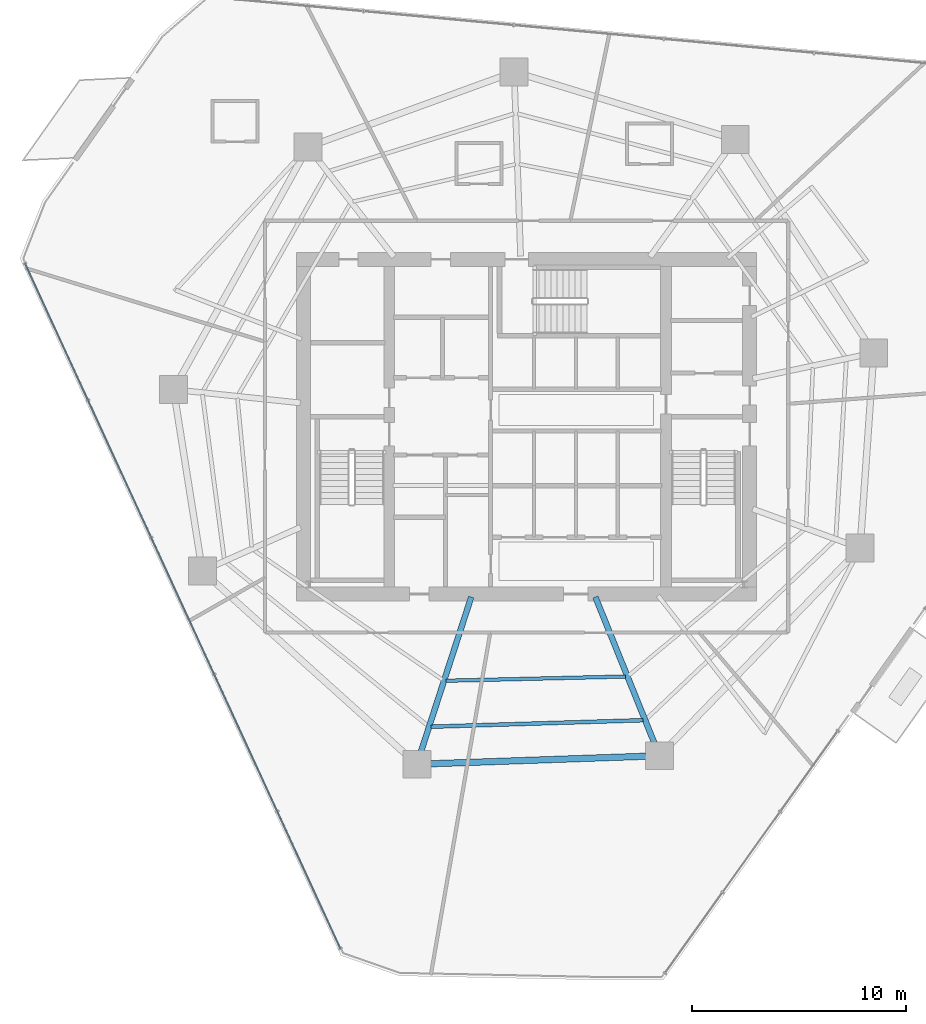
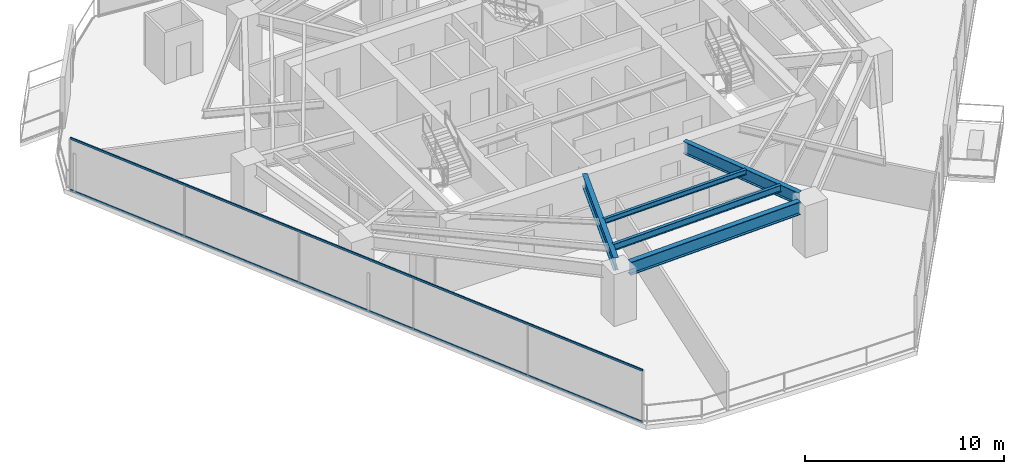
# One storey, part 6 of 30: 5 beams, 2 members, 1 element without a shape of its own.
"""IFC4 building model written with IfcOpenShell, lengths in metres."""

import ifcopenshell
import ifcopenshell.guid

model = None  # the IFC model being written
_history = None  # IfcOwnerHistory: only IFC2X3 demands one
_inside = {}  # id of a spatial element -> (the spatial element, [elements in it])
_under = {}  # id of a project, library or spatial element -> (it, [spatial elements below it])
_declared = {}  # id of a project -> (the project, [libraries it declares])
_typed = {}  # id of a type object -> (the type object, [elements of that type])
_made_of = {}  # id of a material, layer set ... -> (it, [elements and type objects made of it])


def new_model(schema):
    """Start an empty IFC model of exactly this schema.

    Asked for "IFC4X3", IfcOpenShell would pick the latest addendum, in which some entities
    have other attributes; the version numbers below select the first issue.
    IFC2X3 requires an IfcOwnerHistory on every rooted entity: one is made here for all.
    """
    global model, _history
    if schema == "IFC4X3":
        model = ifcopenshell.file(schema_version=(4, 3, 0, 0))
    else:
        model = ifcopenshell.file(schema=schema)
    _inside.clear()
    _under.clear()
    _declared.clear()
    _typed.clear()
    _made_of.clear()
    _history = None
    if model.schema == "IFC2X3":
        org = make("IfcOrganization", Name="unknown")
        user = make(
            "IfcPersonAndOrganization",
            ThePerson=make("IfcPerson", FamilyName="unknown"),
            TheOrganization=org,
        )
        app = make(
            "IfcApplication",
            ApplicationDeveloper=org,
            Version="unknown",
            ApplicationFullName="unknown",
            ApplicationIdentifier="unknown",
        )
        _history = make(
            "IfcOwnerHistory",
            OwningUser=user,
            OwningApplication=app,
            ChangeAction="ADDED",
            CreationDate=0,
        )
    return model


def make(cls, **values):
    """One entity of the class cls with the attributes given. An attribute that is None is left unset."""
    return model.create_entity(
        cls, **{name: value for name, value in values.items() if value is not None}
    )


def rooted(cls, **values):
    """An entity with a GlobalId (a new one), such as an element, a storey or a relation."""
    return make(cls, GlobalId=ifcopenshell.guid.new(), OwnerHistory=_history, **values)


def si_unit(unit_type, name, prefix=None):
    """IfcSIUnit, for example si_unit("LENGTHUNIT", "METRE", prefix="MILLI")."""
    return make("IfcSIUnit", UnitType=unit_type, Prefix=prefix, Name=name)


def assignment(units):
    """IfcUnitAssignment: the units of a project."""
    return None if units is None else make("IfcUnitAssignment", Units=units)


def point(xyz):
    """IfcCartesianPoint."""
    return None if xyz is None else make("IfcCartesianPoint", Coordinates=xyz)


def direction(xyz):
    """IfcDirection."""
    return None if xyz is None else make("IfcDirection", DirectionRatios=xyz)


def frame(location, z_axis=None, x_axis=None):
    """IfcAxis2Placement3D, a coordinate frame: its origin and axes. An axis left out is left unset."""
    return make(
        "IfcAxis2Placement3D",
        Location=point(location),
        Axis=direction(z_axis),
        RefDirection=direction(x_axis),
    )


def frame_2d(location, x_axis=None):
    """IfcAxis2Placement2D, a coordinate frame in the plane: its origin and x axis."""
    return make(
        "IfcAxis2Placement2D", Location=point(location), RefDirection=direction(x_axis)
    )


def origin():
    """The frame at (0, 0, 0) with its axes left unset."""
    return frame((0.0, 0.0, 0.0))


def origin_2d():
    """The frame at (0, 0) in the plane with its x axis left unset."""
    return frame_2d((0.0, 0.0))


def place(relative_to, where):
    """IfcLocalPlacement: puts the frame where relative to a parent placement (None: the world)."""
    return make(
        "IfcLocalPlacement", PlacementRelTo=relative_to, RelativePlacement=where
    )


def context(
    kind, dimensions, precision=None, world=None, true_north=None, identifier=None
):
    """IfcGeometricRepresentationContext, for example the 3D "Model" context."""
    return make(
        "IfcGeometricRepresentationContext",
        ContextIdentifier=identifier,
        ContextType=kind,
        CoordinateSpaceDimension=dimensions,
        Precision=precision,
        WorldCoordinateSystem=world,
        TrueNorth=true_north,
    )


def subcontext(parent, identifier, kind, view, scale=None):
    """IfcGeometricRepresentationSubContext, for example "Body" below "Model"."""
    return make(
        "IfcGeometricRepresentationSubContext",
        ContextIdentifier=identifier,
        ContextType=kind,
        ParentContext=parent,
        TargetScale=scale,
        TargetView=view,
    )


def project(units=None, contexts=None):
    """IfcProject with its units and contexts."""
    return rooted(
        "IfcProject",
        Name="project",
        RepresentationContexts=contexts,
        UnitsInContext=assignment(units),
    )


def spatial(cls, under=None, at=None, **own):
    """A site, building, storey or space (cls), placed at a placement, below another one or the project."""
    s = rooted(cls, ObjectPlacement=at, **own)
    if under is not None:
        _under.setdefault(under.id(), (under, []))[1].append(s)
    return s


def profile(cls, at=None, kind="AREA", **sizes):
    """A parametric profile (cls). Its sizes go by their IFC names, for example OverallWidth=200.0."""
    return make(cls, ProfileType=kind, Position=at, **sizes)


def hollow_rectangle(**sizes):
    """IfcRectangleHollowProfileDef."""
    return profile("IfcRectangleHollowProfileDef", **sizes)


def i_section(**sizes):
    """IfcIShapeProfileDef."""
    return profile("IfcIShapeProfileDef", **sizes)


def extrude(swept, where, along, depth):
    """IfcExtrudedAreaSolid: the profile swept, set in the frame where, extruded along a direction by depth."""
    return make(
        "IfcExtrudedAreaSolid",
        SweptArea=swept,
        Position=where,
        ExtrudedDirection=direction(along),
        Depth=depth,
    )


def shape(context_of_items, identifier, shape_type, items):
    """IfcShapeRepresentation: the items that make up one representation, for example the "Body"."""
    return make(
        "IfcShapeRepresentation",
        ContextOfItems=context_of_items,
        RepresentationIdentifier=identifier,
        RepresentationType=shape_type,
        Items=items,
    )


def material(Name=None, Category=None):
    """IfcMaterial."""
    return make("IfcMaterial", Name=Name, Category=Category)


def layer(
    of_material, thickness, ventilated=None, Name=None, Category=None, Priority=None
):
    """IfcMaterialLayer: one layer of a wall or slab, of a material (None: an air gap)."""
    return make(
        "IfcMaterialLayer",
        Material=of_material,
        LayerThickness=thickness,
        IsVentilated=ventilated,
        Name=Name,
        Category=Category,
        Priority=Priority,
    )


def layer_set(layers, Name=None):
    """IfcMaterialLayerSet."""
    return make("IfcMaterialLayerSet", MaterialLayers=layers, LayerSetName=Name)


def material_profile(
    of_material, cross_section, Name=None, Category=None, Priority=None
):
    """IfcMaterialProfile: a cross section and its material."""
    return make(
        "IfcMaterialProfile",
        Name=Name,
        Material=of_material,
        Profile=cross_section,
        Priority=Priority,
        Category=Category,
    )


def profile_set(profiles, Name=None, composite=None):
    """IfcMaterialProfileSet."""
    return make(
        "IfcMaterialProfileSet",
        Name=Name,
        MaterialProfiles=profiles,
        CompositeProfile=composite,
    )


def made_of(thing, what):
    """Note that an element or type object is made of a material, layer set ...; save() writes the relation."""
    if what is not None:
        _made_of.setdefault(what.id(), (what, []))[1].append(thing)
    return thing


def type_object(cls, material=None, **own):
    """A type object (cls), such as IfcWallType, which elements share."""
    return made_of(rooted(cls, **own), material)


def element(
    cls,
    number,
    at=None,
    inside=None,
    cuts=None,
    type_object=None,
    material=None,
    context=None,
    identifier="Body",
    shape_type=None,
    held_by="IfcProductDefinitionShape",
    body=None,
    shapes=None,
    **own,
):
    """One element of the class cls, such as IfcWall. Its Tag is "e" and its number.

    at: its placement. inside: the storey or other place that contains it. cuts: it is an
    opening in that element (IfcRelVoidsElement). A single representation is given by context,
    identifier, shape_type and body (its items); several are given by shapes. held_by: the class
    of the entity that holds the representations. save() writes the other relations.
    """
    e = rooted(cls, Tag="e%d" % number, ObjectPlacement=at, **own)
    if body is not None:
        shapes = [shape(context, identifier, shape_type, body)]
    if shapes is not None:
        e.Representation = make(held_by, Representations=shapes)
    if inside is not None:
        _inside.setdefault(inside.id(), (inside, []))[1].append(e)
    if cuts is not None:
        rooted(
            "IfcRelVoidsElement", RelatingBuildingElement=cuts, RelatedOpeningElement=e
        )
    if type_object is not None:
        _typed.setdefault(type_object.id(), (type_object, []))[1].append(e)
    return made_of(e, material)


def aggregate(whole, parts):
    """IfcRelAggregates: a whole, such as a stair, and the parts it consists of."""
    return rooted("IfcRelAggregates", RelatingObject=whole, RelatedObjects=parts)


def save(model, path):
    """Write the relations noted so far, then the file.

    IfcRelAggregates (storeys below a building ...), IfcRelContainedInSpatialStructure (elements
    in a storey), IfcRelDefinesByType, IfcRelAssociatesMaterial and IfcRelDeclares: one each for
    every whole, place, type object, material and project.
    """
    for whole, parts in _under.values():
        aggregate(whole, parts)
    for where, things in _inside.values():
        rooted(
            "IfcRelContainedInSpatialStructure",
            RelatedElements=things,
            RelatingStructure=where,
        )
    for kind, things in _typed.values():
        rooted("IfcRelDefinesByType", RelatedObjects=things, RelatingType=kind)
    for what, things in _made_of.values():
        rooted("IfcRelAssociatesMaterial", RelatedObjects=things, RelatingMaterial=what)
    for by, libraries in _declared.values():
        rooted("IfcRelDeclares", RelatingContext=by, RelatedDefinitions=libraries)
    model.write(path)


model = new_model("IFC4")

# Units and contexts
model_context = context("Model", 3, precision=1e-05, world=origin(), true_north=direction((0.0, 1.0)))
body_context = subcontext(model_context, "Body", "Model", "MODEL_VIEW")
ifc_project = project(units=[si_unit("LENGTHUNIT", "METRE"), si_unit("AREAUNIT", "SQUARE_METRE"), si_unit("VOLUMEUNIT", "CUBIC_METRE"), si_unit("PLANEANGLEUNIT", "RADIAN"), si_unit("MASSUNIT", "GRAM", prefix="KILO")], contexts=[model_context])

# Site, building, storey
site_placement = place(None, origin())
site = spatial("IfcSite", under=ifc_project, at=site_placement, CompositionType="ELEMENT")
building_placement = place(site_placement, origin())
building = spatial("IfcBuilding", under=site, at=building_placement, Name="Qarnah Convention Tower", CompositionType="ELEMENT")
storey_placement = place(building_placement, frame((0.0, 0.0, 47.699951171875)))
storey = spatial("IfcBuildingStorey", under=building, at=storey_placement, Name="L11", CompositionType="ELEMENT", Elevation=47.699951171875)

# Beams
ifc_material_1 = material(Name="Structural steel S355JR", Category="steel")
ifc_material_profile_1 = material_profile(ifc_material_1, i_section(OverallWidth=0.166015625, OverallDepth=0.31201171875, WebThickness=0.007080078125, FlangeThickness=0.010986328125, at=origin_2d()), Name="W310X45")
ifc_profile_set_1 = profile_set([ifc_material_profile_1], Name="Structural steel S355JR")
beam_type_1 = type_object("IfcBeamType", Name="BM-JST-W310", PredefinedType="JOIST", material=ifc_profile_set_1)
beam_1_placement = place(storey_placement, frame((33.43994140625, 14.552978515625, 3.01416015625), z_axis=(0.999723467553, 0.023515705909, 0.0), x_axis=(-0.023515705909, 0.999723467553, 0.0)))
element("IfcBeam", 1, at=beam_1_placement, inside=storey, type_object=beam_type_1, Name="L11 joist BM-L11-IJST-07", PredefinedType="JOIST", context=body_context, shape_type="SweptSolid", body=[
    extrude(i_section(OverallWidth=0.166015625, OverallDepth=0.31201171875, WebThickness=0.007080078125, FlangeThickness=0.010986328125, at=origin_2d()), origin(), (0.0, 0.0, 1.0), 8.378173828125),
])
ifc_material_profile_2 = material_profile(ifc_material_1, i_section(OverallWidth=0.177978515625, OverallDepth=0.407958984375, WebThickness=0.008056640625, FlangeThickness=0.012939453125, at=origin_2d()), Name="W410X60")
ifc_profile_set_2 = profile_set([ifc_material_profile_2], Name="Structural steel S355JR")
beam_type_2 = type_object("IfcBeamType", Name="BM-JST-W410", PredefinedType="JOIST", material=ifc_profile_set_2)
beam_2_placement = place(storey_placement, frame((32.743896484375, 12.409912109375, 2.966064453125), z_axis=(0.999534571563, 0.030506396867, 0.0), x_axis=(-0.030506396867, 0.999534571563, 0.0)))
element("IfcBeam", 2, at=beam_2_placement, inside=storey, type_object=beam_type_2, Name="L11 joist BM-L11-SJST-07", PredefinedType="JOIST", context=body_context, shape_type="SweptSolid", body=[
    extrude(i_section(OverallWidth=0.177978515625, OverallDepth=0.407958984375, WebThickness=0.008056640625, FlangeThickness=0.012939453125, at=origin_2d()), origin(), (0.0, 0.0, 1.0), 9.899658203125),
])
ifc_material_profile_3 = material_profile(ifc_material_1, i_section(OverallWidth=0.26806640625, OverallDepth=0.760009765625, WebThickness=0.014892578125, FlangeThickness=0.02197265625, at=origin_2d()), Name="W760X185")
ifc_profile_set_3 = profile_set([ifc_material_profile_3], Name="Structural steel S355JR")
beam_type_3 = type_object("IfcBeamType", Name="BM-RAD-W760", PredefinedType="BEAM", material=ifc_profile_set_3)
beam_3_placement = place(storey_placement, frame((34.6201171875, 18.45703125, 2.7900390625), z_axis=(-0.309057625925, -0.951043313345, 0.0), x_axis=(0.951043313345, -0.309057625925, 0.0)))
element("IfcBeam", 3, at=beam_3_placement, inside=storey, type_object=beam_type_3, Name="L11 beam BM-L11-RAD-07", PredefinedType="BEAM", context=body_context, shape_type="SweptSolid", body=[
    extrude(i_section(OverallWidth=0.26806640625, OverallDepth=0.760009765625, WebThickness=0.014892578125, FlangeThickness=0.02197265625, at=origin_2d()), origin(), (0.0, 0.0, 1.0), 7.568603515625),
])
beam_4_placement = place(storey_placement, frame((40.407958984375, 18.4609375, 2.7900390625), z_axis=(0.374586487969, -0.927191977441, 0.0), x_axis=(0.927191977441, 0.374586487969, 0.0)))
element("IfcBeam", 4, at=beam_4_placement, inside=storey, type_object=beam_type_3, Name="L11 beam BM-L11-RAD-08", PredefinedType="BEAM", context=body_context, shape_type="SweptSolid", body=[
    extrude(i_section(OverallWidth=0.26806640625, OverallDepth=0.760009765625, WebThickness=0.014892578125, FlangeThickness=0.02197265625, at=origin_2d()), origin(), (0.0, 0.0, 1.0), 7.357666015625),
])
ifc_material_profile_4 = material_profile(ifc_material_1, i_section(OverallWidth=0.300048828125, OverallDepth=0.800048828125, WebThickness=0.01806640625, FlangeThickness=0.032958984375, at=origin_2d()), Name="HEB800")
ifc_profile_set_4 = profile_set([ifc_material_profile_4], Name="Structural steel S355JR")
beam_type_4 = type_object("IfcBeamType", Name="BM-RING-HEB800", PredefinedType="BEAM", material=ifc_profile_set_4)
beam_5_placement = place(storey_placement, frame((32.72607421875, 10.681884765625, 2.77001953125), z_axis=(0.999388457365, 0.034967288783, 0.0), x_axis=(-0.034967288783, 0.999388457365, 0.0)))
element("IfcBeam", 5, at=beam_5_placement, inside=storey, type_object=beam_type_4, Name="L11 beam BM-L11-SPN-07", PredefinedType="BEAM", context=body_context, shape_type="SweptSolid", body=[
    extrude(i_section(OverallWidth=0.300048828125, OverallDepth=0.800048828125, WebThickness=0.01806640625, FlangeThickness=0.032958984375, at=origin_2d()), origin(), (0.0, 0.0, 1.0), 10.0400390625),
])

# Curtain wall, members
ifc_material_2 = material(Name="Tempered Low-E dark glass", Category="glass")
ifc_layer = layer(ifc_material_2, 0.16796875)
ifc_layer_set = layer_set([ifc_layer], Name="Tempered Low-E dark glass")
curtain_wall_type = type_object("IfcCurtainWallType", Name="CWS-01", PredefinedType="NOTDEFINED", material=ifc_layer_set)
curtain_wall_placement = place(storey_placement, origin())
curtain_wall = element("IfcCurtainWall", 6, at=curtain_wall_placement, inside=storey, type_object=curtain_wall_type, Name="L11 unitised curtain wall CW-L11-F1", PredefinedType="NOTDEFINED")
ifc_material_3 = material(Name="Black anodised aluminium", Category="aluminium")
ifc_material_profile_5 = material_profile(ifc_material_3, hollow_rectangle(XDim=0.06005859375, YDim=0.1298828125, WallThickness=0.00390625, at=origin_2d()), Name="TRN-60X130")
ifc_profile_set_5 = profile_set([ifc_material_profile_5], Name="Black anodised aluminium")
member_type = type_object("IfcMemberType", Name="TRN-T1", PredefinedType="USERDEFINED", material=ifc_profile_set_5)
member_1_placement = place(storey_placement, frame((28.52294921875, 2.068115234375, 0.0), z_axis=(-0.418208428362, 0.908351094262, 0.0), x_axis=(-0.908351094262, -0.418208428362, 0.0)))
member_1 = element("IfcMember", 7, at=member_1_placement, type_object=member_type, Name="CW-L11-F1 transom 1", ObjectType="TRANSOM", PredefinedType="USERDEFINED", context=body_context, shape_type="SweptSolid", body=[
    extrude(hollow_rectangle(XDim=0.06005859375, YDim=0.1298828125, WallThickness=0.00390625, at=origin_2d()), origin(), (0.0, 0.0, 1.0), 35.17138671875),
])
member_2_placement = place(storey_placement, frame((28.52294921875, 2.068115234375, 3.170166015625), z_axis=(-0.418208428362, 0.908351094262, 0.0), x_axis=(-0.908351094262, -0.418208428362, 0.0)))
member_2 = element("IfcMember", 8, at=member_2_placement, type_object=member_type, Name="CW-L11-F1 transom 2", ObjectType="TRANSOM", PredefinedType="USERDEFINED", context=body_context, shape_type="SweptSolid", body=[
    extrude(hollow_rectangle(XDim=0.06005859375, YDim=0.1298828125, WallThickness=0.00390625, at=origin_2d()), origin(), (0.0, 0.0, 1.0), 35.17138671875),
])
aggregate(curtain_wall, [member_1, member_2])

save(model, "model.ifc")
